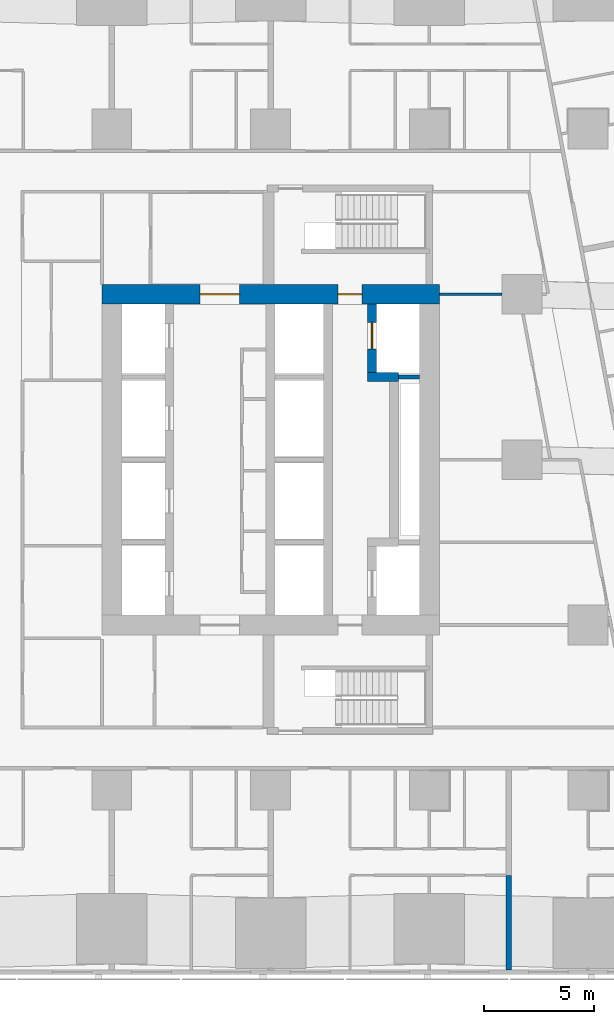
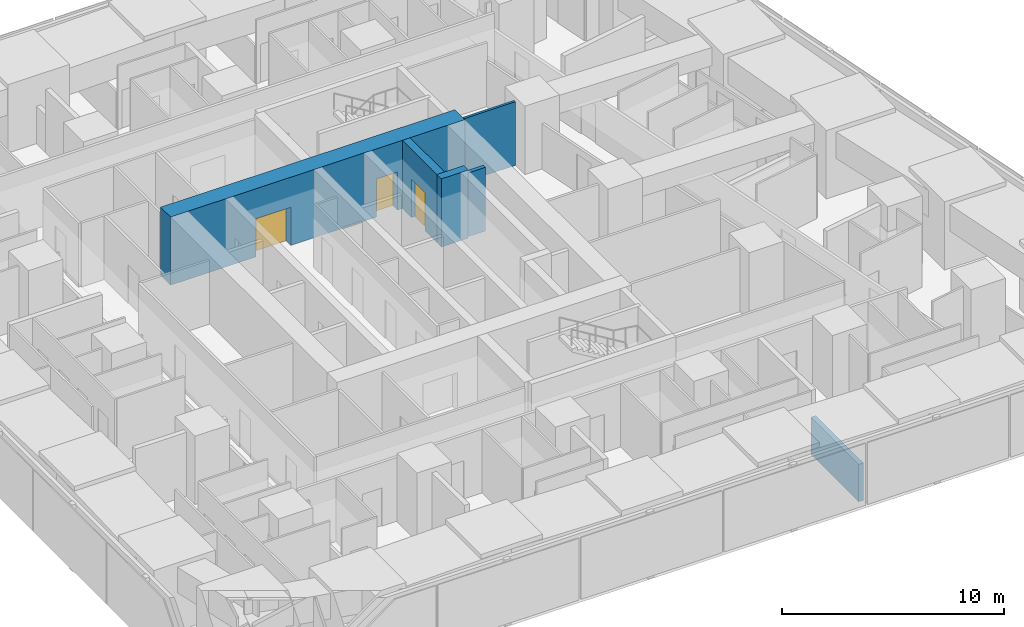
# One storey, part 8 of 18: 6 walls, 3 doors, 3 openings.
"""IFC4 building model written with IfcOpenShell, lengths in metres."""

from ifc_helpers import new_model, si_unit, direction, frame, frame_2d, origin, place, context, subcontext, project, spatial, rectangle, extrude, material, layer, layer_set, type_object, element, fill, save


model = new_model("IFC4")

# Units and contexts
model_context = context("Model", 3, precision=1e-05, world=origin(), true_north=direction((0.0, 1.0)))
body_context = subcontext(model_context, "Body", "Model", "MODEL_VIEW")
ifc_project = project(units=[si_unit("LENGTHUNIT", "METRE"), si_unit("AREAUNIT", "SQUARE_METRE"), si_unit("VOLUMEUNIT", "CUBIC_METRE"), si_unit("PLANEANGLEUNIT", "RADIAN"), si_unit("MASSUNIT", "GRAM", prefix="KILO")], contexts=[model_context])

# Site, building, storey
site_placement = place(None, origin())
site = spatial("IfcSite", under=ifc_project, at=site_placement, CompositionType="ELEMENT")
building_placement = place(site_placement, origin())
building = spatial("IfcBuilding", under=site, at=building_placement, Name="Sheger Commons Tower", CompositionType="ELEMENT")
storey_placement = place(building_placement, frame((0.0, 0.0, 20.0)))
storey = spatial("IfcBuildingStorey", under=building, at=storey_placement, Name="L04", CompositionType="ELEMENT", Elevation=20.0)

# Wall
ifc_material_1 = material(Name="Concrete C50/60", Category="concrete")
ifc_layer_1 = layer(ifc_material_1, 0.39990234375)
ifc_layer_set_1 = layer_set([ifc_layer_1], Name="CORE INNER WALL 400")
wall_type_1 = type_object("IfcWallType", Name="CORE INNER WALL 400", PredefinedType="SHEAR", material=ifc_layer_set_1)
wall_1_placement = place(storey_placement, frame((26.0, 26.25, 0.0), z_axis=(0.0, 0.0, 1.0), x_axis=(1.0, 0.0, 0.0)))
element("IfcWall", 1, at=wall_1_placement, inside=storey, type_object=wall_type_1, Name="Core inner wall F north return L04", PredefinedType="SHEAR", context=body_context, shape_type="SweptSolid", body=[
    extrude(rectangle(XDim=1.39990234375, YDim=0.39990234375, at=frame_2d((0.699951171875, 0.0))), origin(), (0.0, 0.0, 1.0), 3.75),
])

# Wall, opening, door
wall_2_placement = place(storey_placement, frame((26.199951171875, 26.449951171875, 0.0), z_axis=(0.0, 0.0, 1.0), x_axis=(0.0, 1.0, 0.0)))
wall_2 = element("IfcWall", 2, at=wall_2_placement, inside=storey, type_object=wall_type_1, Name="Core inner wall F north L04", PredefinedType="SHEAR", context=body_context, shape_type="SweptSolid", body=[
    extrude(rectangle(XDim=3.10009765625, YDim=0.39990234375, at=frame_2d((1.550048828125, 0.0))), origin(), (0.0, 0.0, 1.0), 3.75),
])
opening_1_placement = place(wall_2_placement, frame((1.074951171875, 0.0, 0.0)))
opening_1 = element("IfcOpeningElement", 3, at=opening_1_placement, cuts=wall_2, Name="Opening LD2", PredefinedType="OPENING", context=body_context, shape_type="SweptSolid", body=[
    extrude(rectangle(XDim=1.199951171875, YDim=2.10009765625, at=frame_2d((0.60009765625, 1.050048828125))), frame((0.0, 0.2099609375, 0.0), z_axis=(0.0, -1.0, 0.0), x_axis=(1.0, 0.0, 0.0)), (0.0, 0.0, 1.0), 0.419921875),
])
ifc_material_2 = material(Name="Steel door set, fire rated", Category="steel")
door_type_1 = type_object("IfcDoorType", Name="FIREFIGHTING LIFT LANDING DOOR 1200x2100", OperationType="DOUBLE_DOOR_SLIDING", PredefinedType="DOOR", material=ifc_material_2)
door_1_placement = place(opening_1_placement, origin())
door_1 = element("IfcDoor", 4, at=door_1_placement, inside=storey, type_object=door_type_1, Name="Lift FL2 landing door", OperationType="DOUBLE_DOOR_SLIDING", OverallHeight=2.10009765625, OverallWidth=1.199951171875, PredefinedType="DOOR", context=body_context, shape_type="SweptSolid", body=[
    extrude(rectangle(XDim=1.199951171875, YDim=2.10009765625, at=frame_2d((0.60009765625, 1.050048828125))), frame((0.0, 0.02490234375, 0.0), z_axis=(0.0, -1.0, 0.0), x_axis=(1.0, 0.0, 0.0)), (0.0, 0.0, 1.0), 0.050048828125),
])
fill(opening_1, door_1)

# Wall, openings, doors
ifc_material_3 = material(Name="Concrete C50/60", Category="concrete")
ifc_layer_2 = layer(ifc_material_3, 0.89990234375)
ifc_layer_set_2 = layer_set([ifc_layer_2], Name="CORE WALL 900")
wall_type_2 = type_object("IfcWallType", Name="CORE WALL 900", PredefinedType="SHEAR", material=ifc_layer_set_2)
wall_3_placement = place(storey_placement, frame((13.949951171875, 30.0, 0.0), z_axis=(0.0, 0.0, 1.0), x_axis=(1.0, 0.0, 0.0)))
wall_3 = element("IfcWall", 5, at=wall_3_placement, inside=storey, type_object=wall_type_2, Name="Core wall north L04", PredefinedType="SHEAR", context=body_context, shape_type="SweptSolid", body=[
    extrude(rectangle(XDim=15.300048828125, YDim=0.89990234375, at=frame_2d((7.64990234375, 0.0))), origin(), (0.0, 0.0, 1.0), 3.75),
])
opening_2_placement = place(wall_3_placement, frame((4.449951171875, 0.0, 0.0)))
opening_2 = element("IfcOpeningElement", 6, at=opening_2_placement, cuts=wall_3, Name="Opening D6", PredefinedType="OPENING", context=body_context, shape_type="SweptSolid", body=[
    extrude(rectangle(XDim=1.800048828125, YDim=2.10009765625, at=frame_2d((0.89990234375, 1.050048828125))), frame((0.0, 0.4599609375, 0.0), z_axis=(0.0, -1.0, 0.0), x_axis=(1.0, 0.0, 0.0)), (0.0, 0.0, 1.0), 0.919921875),
])
opening_3_placement = place(wall_3_placement, frame((10.699951171875, 0.0, 0.0)))
opening_3 = element("IfcOpeningElement", 7, at=opening_3_placement, cuts=wall_3, Name="Opening D5", PredefinedType="OPENING", context=body_context, shape_type="SweptSolid", body=[
    extrude(rectangle(XDim=1.10009765625, YDim=2.10009765625, at=frame_2d((0.550048828125, 1.050048828125))), frame((0.0, 0.4599609375, 0.0), z_axis=(0.0, -1.0, 0.0), x_axis=(1.0, 0.0, 0.0)), (0.0, 0.0, 1.0), 0.919921875),
])
ifc_material_4 = material(Name="Steel door set, fire rated", Category="steel")
door_type_2 = type_object("IfcDoorType", Name="LOBBY DOUBLE DOOR 1800x2100", OperationType="DOUBLE_DOOR_SINGLE_SWING", PredefinedType="DOOR", material=ifc_material_4)
door_2_placement = place(opening_2_placement, origin())
door_2 = element("IfcDoor", 8, at=door_2_placement, inside=storey, type_object=door_type_2, Name="Lift lobby door", OperationType="DOUBLE_DOOR_SINGLE_SWING", OverallHeight=2.10009765625, OverallWidth=1.800048828125, PredefinedType="DOOR", context=body_context, shape_type="SweptSolid", body=[
    extrude(rectangle(XDim=1.800048828125, YDim=2.10009765625, at=frame_2d((0.89990234375, 1.050048828125))), frame((0.0, 0.02490234375, 0.0), z_axis=(0.0, -1.0, 0.0), x_axis=(1.0, 0.0, 0.0)), (0.0, 0.0, 1.0), 0.050048828125),
])
fill(opening_2, door_2)
ifc_material_5 = material(Name="Steel door set, fire rated", Category="steel")
door_type_3 = type_object("IfcDoorType", Name="STAIR DOOR 1100x2100", OperationType="NOTDEFINED", PredefinedType="DOOR", material=ifc_material_5)
door_3_placement = place(opening_3_placement, origin())
door_3 = element("IfcDoor", 9, at=door_3_placement, inside=storey, type_object=door_type_3, Name="Fire-fighting lobby door", OperationType="SINGLE_SWING_RIGHT", OverallHeight=2.10009765625, OverallWidth=1.10009765625, PredefinedType="DOOR", context=body_context, shape_type="SweptSolid", body=[
    extrude(rectangle(XDim=1.10009765625, YDim=2.10009765625, at=frame_2d((0.550048828125, 1.050048828125))), frame((0.0, 0.02490234375, 0.0), z_axis=(0.0, -1.0, 0.0), x_axis=(1.0, 0.0, 0.0)), (0.0, 0.0, 1.0), 0.050048828125),
])
fill(opening_3, door_3)

# Walls
ifc_material_6 = material(Name="Dense concrete block masonry, plastered both sides (separating wall between flats)", Category="masonry")
ifc_layer_3 = layer(ifc_material_6, 0.25)
ifc_layer_set_3 = layer_set([ifc_layer_3], Name="DEMISING WALL 250")
wall_type_3 = type_object("IfcWallType", Name="DEMISING WALL 250", PredefinedType="SOLIDWALL", material=ifc_layer_set_3)
wall_4_placement = place(storey_placement, frame((32.39990234375, -0.64990234375, 0.0), z_axis=(0.0, 0.0, 1.0), x_axis=(0.0, 1.0, 0.0)))
element("IfcWall", 10, at=wall_4_placement, inside=storey, type_object=wall_type_3, Name="Demising wall L04", PredefinedType="SOLIDWALL", context=body_context, shape_type="SweptSolid", body=[
    extrude(rectangle(XDim=4.2998046875, YDim=0.25, at=frame_2d((2.14990234375, 0.0))), origin(), (0.0, 0.0, 1.0), 2.050048828125),
])
ifc_material_7 = material(Name="Gypsum board on steel studs, two layers each side, fire rated", Category="steel")
ifc_layer_4 = layer(ifc_material_7, 0.125)
ifc_layer_set_4 = layer_set([ifc_layer_4], Name="SERVICE WALL 125")
wall_type_4 = type_object("IfcWallType", Name="SERVICE WALL 125", PredefinedType="PARTITIONING", material=ifc_layer_set_4)
wall_5_placement = place(storey_placement, frame((29.25, 30.0, 0.0), z_axis=(0.0, 0.0, 1.0), x_axis=(1.0, 0.0, 0.0)))
element("IfcWall", 11, at=wall_5_placement, inside=storey, type_object=wall_type_4, Name="Service room wall L04", PredefinedType="PARTITIONING", context=body_context, shape_type="SweptSolid", body=[
    extrude(rectangle(XDim=2.84912109375, YDim=0.125, at=frame_2d((1.424560546875, 0.0))), origin(), (0.0, 0.0, 1.0), 3.5),
])
ifc_material_8 = material(Name="Hollow concrete block masonry", Category="masonry")
ifc_layer_5 = layer(ifc_material_8, 0.199951171875)
ifc_layer_set_5 = layer_set([ifc_layer_5], Name="SHAFT WALL 200")
wall_type_5 = type_object("IfcWallType", Name="SHAFT WALL 200", PredefinedType="SOLIDWALL", material=ifc_layer_set_5)
wall_6_placement = place(storey_placement, frame((27.39990234375, 26.25, 0.0), z_axis=(0.0, 0.0, 1.0), x_axis=(1.0, 0.0, 0.0)))
element("IfcWall", 12, at=wall_6_placement, inside=storey, type_object=wall_type_5, Name="Lift shaft wall L04", PredefinedType="SOLIDWALL", context=body_context, shape_type="SweptSolid", body=[
    extrude(rectangle(XDim=0.9501953125, YDim=0.199951171875, at=frame_2d((0.47509765625, 0.0))), origin(), (0.0, 0.0, 1.0), 3.5),
])

save(model, "model.ifc")
